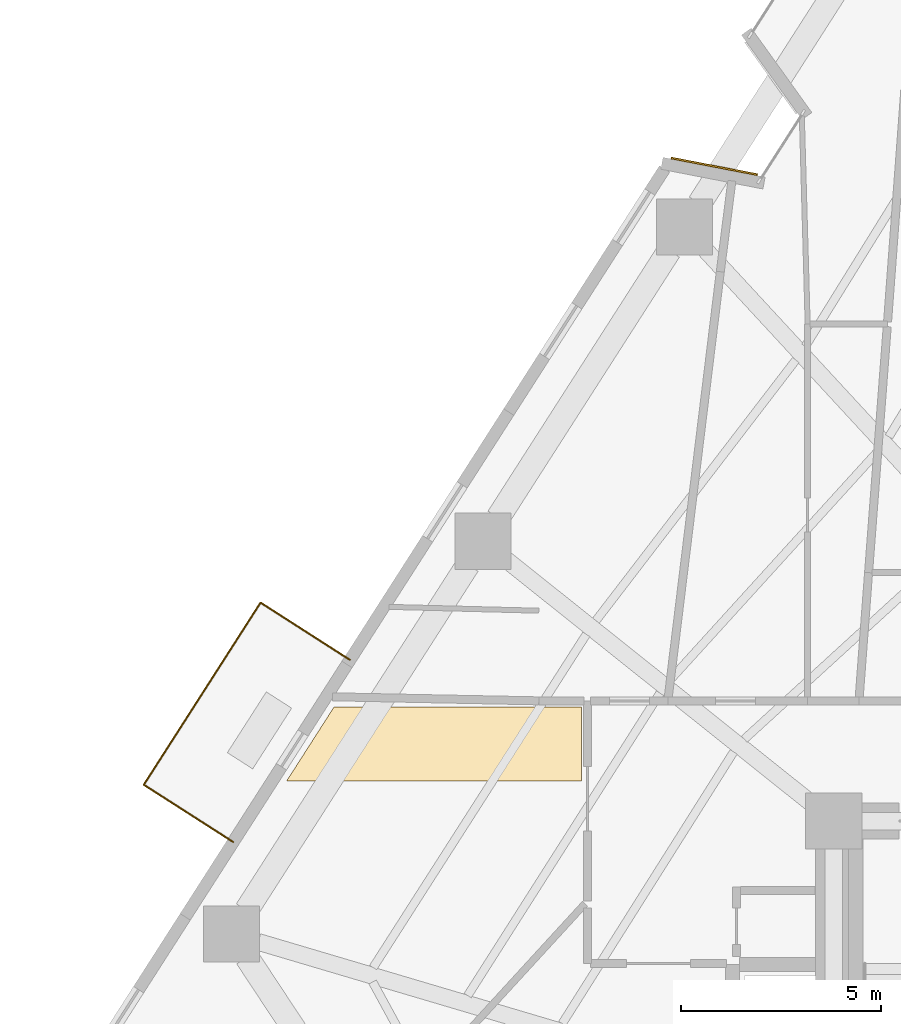
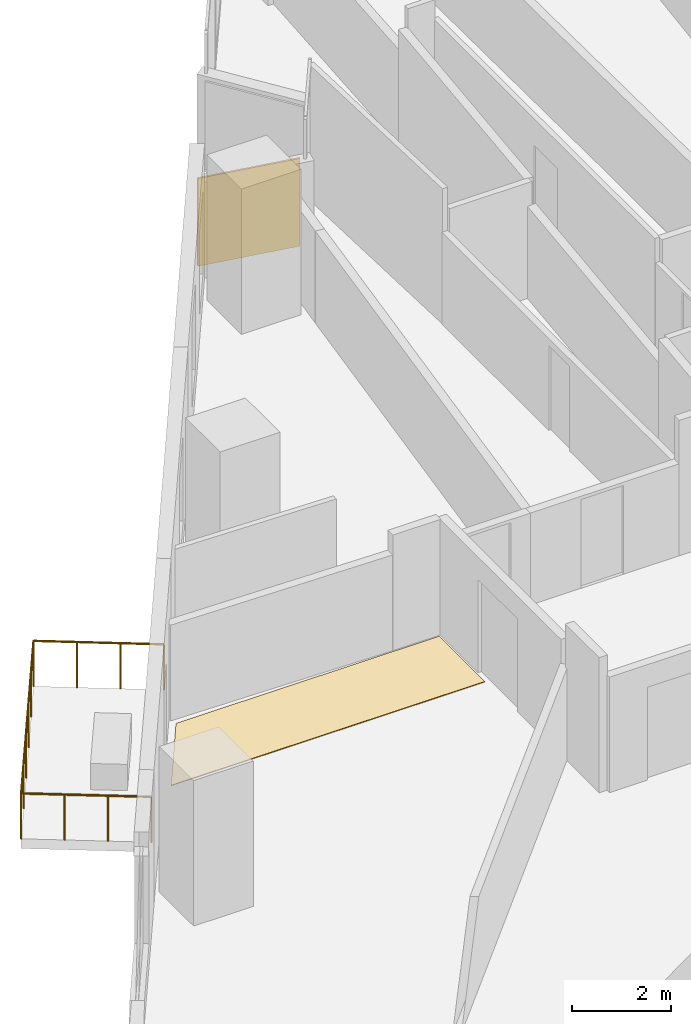
# One storey, part 12 of 14: 2 coverings, 1 railing.
"""IFC4 building model written with IfcOpenShell, lengths in metres."""

from ifc_helpers import new_model, si_unit, direction, frame, origin, origin_2d, place, context, subcontext, project, spatial, polyline, rectangle, circle, outline, extrude, material, layer, layer_set, type_object, element, save


model = new_model("IFC4")

# Units and contexts
model_context = context("Model", 3, precision=1e-05, world=origin(), true_north=direction((0.0, 1.0)))
body_context = subcontext(model_context, "Body", "Model", "MODEL_VIEW")
ifc_project = project(units=[si_unit("LENGTHUNIT", "METRE"), si_unit("AREAUNIT", "SQUARE_METRE"), si_unit("VOLUMEUNIT", "CUBIC_METRE"), si_unit("PLANEANGLEUNIT", "RADIAN"), si_unit("MASSUNIT", "GRAM", prefix="KILO")], contexts=[model_context])

# Site, building, storey
site_placement = place(None, origin())
site = spatial("IfcSite", under=ifc_project, at=site_placement, CompositionType="ELEMENT")
building_placement = place(site_placement, origin())
building = spatial("IfcBuilding", under=site, at=building_placement, Name="Almagre Mirador Tower", CompositionType="ELEMENT")
storey_placement = place(building_placement, frame((0.0, 0.0, 46.199951171875)))
storey = spatial("IfcBuildingStorey", under=building, at=storey_placement, Name="L10", CompositionType="ELEMENT", Elevation=46.199951171875)

# Coverings
ifc_material_1 = material(Name="Almagre terracotta architectural cladding", Category="masonry")
ifc_layer_1 = layer(ifc_material_1, 0.044921875)
ifc_layer_set_1 = layer_set([ifc_layer_1], Name="Almagre terracotta architectural cladding")
covering_type_1 = type_object("IfcCoveringType", Name="COV-CLAD-ALMAGRE", PredefinedType="CLADDING", material=ifc_layer_set_1)
covering_1_placement = place(storey_placement, frame((24.56982421875, 31.08837890625, 0.10009765625), z_axis=(0.0, 0.0, 1.0), x_axis=(0.981760154029, -0.190123643878, 0.0)))
element("IfcCovering", 1, at=covering_1_placement, inside=storey, type_object=covering_type_1, Name="L10 almagre terracotta pier cladding", PredefinedType="CLADDING", context=body_context, shape_type="SweptSolid", body=[
    extrude(rectangle(XDim=2.194091796875, YDim=0.044921875, at=origin_2d()), origin(), (0.0, 0.0, 1.0), 2.175048828125),
])
ifc_material_2 = material(Name="Engineered white oak flooring", Category="wood")
ifc_layer_2 = layer(ifc_material_2, 0.01806640625)
ifc_layer_set_2 = layer_set([ifc_layer_2], Name="Engineered white oak flooring")
covering_type_2 = type_object("IfcCoveringType", Name="COV-FLR-OAK-18", PredefinedType="FLOORING", material=ifc_layer_set_2)
covering_2_placement = place(storey_placement, origin())
element("IfcCovering", 2, at=covering_2_placement, inside=storey, type_object=covering_type_2, Name="L10 L10 Residents Reading Gallery C finish flooring", PredefinedType="FLOORING", context=body_context, shape_type="SweptSolid", body=[
    extrude(outline(polyline([(21.25, 17.60009765625), (21.25, 15.75), (13.89697265625, 15.75), (15.08203125, 17.60009765625), (21.25, 17.60009765625)])), origin(), (0.0, 0.0, 1.0), 0.01806640625),
])

# Railing
ifc_material_3 = material(Name="Black anodized aluminium", Category="aluminium")
railing_type = type_object("IfcRailingType", Name="RLG-BAL-1150", PredefinedType="BALUSTRADE", material=ifc_material_3)
railing_placement = place(storey_placement, frame((15.47705078125, 18.77294921875, 0.0)))
element("IfcRailing", 3, at=railing_placement, inside=storey, type_object=railing_type, Name="L10 west balcony balustrade 2", PredefinedType="BALUSTRADE", context=body_context, shape_type="SweptSolid", body=[
    extrude(circle(Radius=0.02392578125, at=origin_2d()), frame((0.0, 0.0, 1.1259765625), z_axis=(-0.841908117031, 0.539620906265, 0.0), x_axis=(-0.539620906265, -0.841908117031, 0.0)), (0.0, 0.0, 1.0), 2.64990234375),
    extrude(circle(Radius=0.02392578125, at=origin_2d()), frame((-2.23095703125, 1.429931640625, 1.1259765625), z_axis=(-0.539587242871, -0.841929692629, 0.0), x_axis=(0.841929692629, -0.539587242871, 0.0)), (0.0, 0.0, 1.0), 5.400634765625),
    extrude(circle(Radius=0.02392578125, at=origin_2d()), frame((-5.14501953125, -3.116943359375, 1.1259765625), z_axis=(0.842075537364, -0.539359610439, 0.0), x_axis=(0.539359610439, 0.842075537364, 0.0)), (0.0, 0.0, 1.0), 2.6494140625),
    extrude(circle(Radius=0.02099609375, at=origin_2d()), origin(), (0.0, 0.0, 1.0), 1.101806640625),
    extrude(circle(Radius=0.02099609375, at=origin_2d()), frame((-0.74365234375, 0.4765625, 0.0)), (0.0, 0.0, 1.0), 1.101806640625),
    extrude(circle(Radius=0.02099609375, at=origin_2d()), frame((-1.4873046875, 0.953369140625, 0.0)), (0.0, 0.0, 1.0), 1.101806640625),
    extrude(circle(Radius=0.02099609375, at=origin_2d()), frame((-2.23095703125, 1.429931640625, 0.0)), (0.0, 0.0, 1.0), 1.101806640625),
    extrude(circle(Radius=0.02099609375, at=origin_2d()), frame((-2.813720703125, 0.5205078125, 0.0)), (0.0, 0.0, 1.0), 1.101806640625),
    extrude(circle(Radius=0.02099609375, at=origin_2d()), frame((-3.396484375, -0.388916015625, 0.0)), (0.0, 0.0, 1.0), 1.101806640625),
    extrude(circle(Radius=0.02099609375, at=origin_2d()), frame((-3.9794921875, -1.298095703125, 0.0)), (0.0, 0.0, 1.0), 1.101806640625),
    extrude(circle(Radius=0.02099609375, at=origin_2d()), frame((-4.562255859375, -2.20751953125, 0.0)), (0.0, 0.0, 1.0), 1.101806640625),
    extrude(circle(Radius=0.02099609375, at=origin_2d()), frame((-5.14501953125, -3.116943359375, 0.0)), (0.0, 0.0, 1.0), 1.101806640625),
    extrude(circle(Radius=0.02099609375, at=origin_2d()), frame((-4.4013671875, -3.59326171875, 0.0)), (0.0, 0.0, 1.0), 1.101806640625),
    extrude(circle(Radius=0.02099609375, at=origin_2d()), frame((-3.65771484375, -4.069580078125, 0.0)), (0.0, 0.0, 1.0), 1.101806640625),
    extrude(circle(Radius=0.02099609375, at=origin_2d()), frame((-2.9140625, -4.5458984375, 0.0)), (0.0, 0.0, 1.0), 1.101806640625),
])

save(model, "model.ifc")
